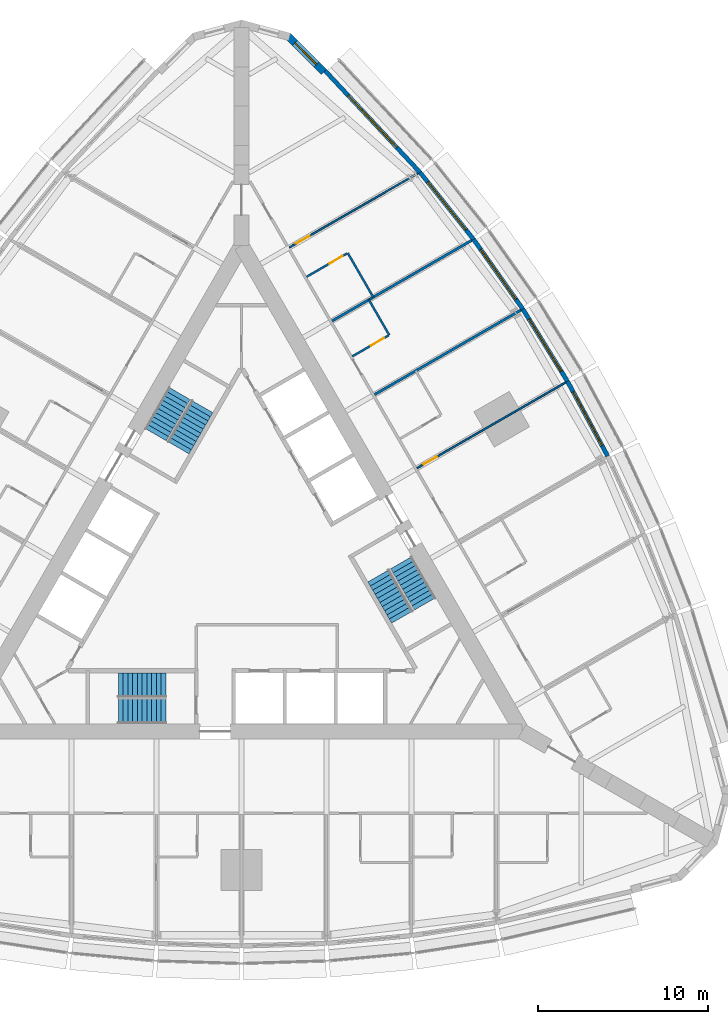
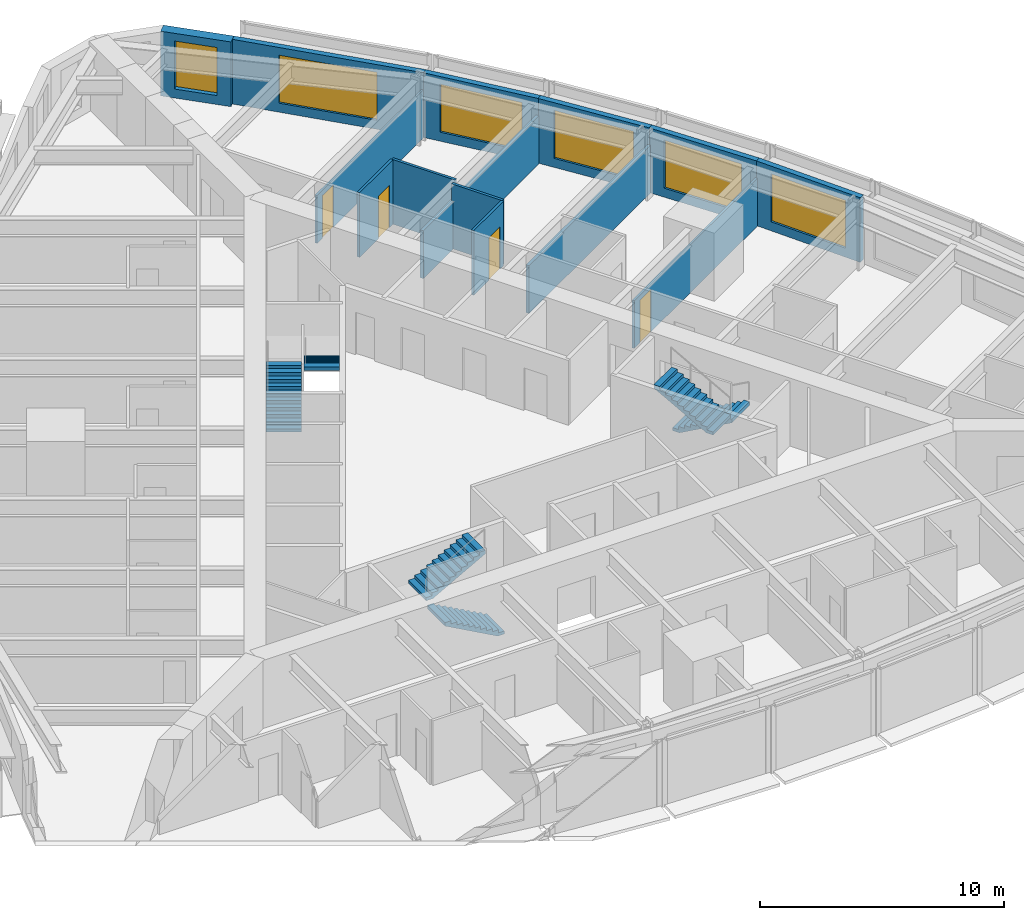
# One storey, part 13 of 14: 14 walls, 6 stair flights, 6 windows, 4 doors, 10 openings, 3 elements without a shape of their own.
"""IFC4 building model written with IfcOpenShell, lengths in metres."""

from ifc_helpers import new_model, si_unit, direction, frame, frame_2d, origin, place, context, subcontext, project, spatial, polyline, rectangle, outline, extrude, material, layer, layer_set, type_object, element, fill, aggregate, save


model = new_model("IFC4")

# Units and contexts
model_context = context("Model", 3, precision=1e-05, world=origin(), true_north=direction((0.0, 1.0)))
body_context = subcontext(model_context, "Body", "Model", "MODEL_VIEW")
ifc_project = project(units=[si_unit("LENGTHUNIT", "METRE"), si_unit("AREAUNIT", "SQUARE_METRE"), si_unit("VOLUMEUNIT", "CUBIC_METRE"), si_unit("PLANEANGLEUNIT", "RADIAN"), si_unit("MASSUNIT", "GRAM", prefix="KILO")], contexts=[model_context])

# Site, building, storey
site_placement = place(None, origin())
site = spatial("IfcSite", under=ifc_project, at=site_placement, CompositionType="ELEMENT")
building_placement = place(site_placement, origin())
building = spatial("IfcBuilding", under=site, at=building_placement, Name="Trikona Tower", CompositionType="ELEMENT")
storey_placement = place(building_placement, frame((0.0, 0.0, 72.699951171875)))
storey = spatial("IfcBuildingStorey", under=building, at=storey_placement, Name="L18", CompositionType="ELEMENT", Elevation=72.699951171875)

# Wall
ifc_material_1 = material(Name="Metal stud and cement board", Category="gypsum")
ifc_layer_1 = layer(ifc_material_1, 0.1201171875)
ifc_layer_set_1 = layer_set([ifc_layer_1], Name="Bathroom wall 120")
wall_type_1 = type_object("IfcWallType", Name="Bathroom wall 120", PredefinedType="PLUMBINGWALL", material=ifc_layer_set_1)
wall_1_placement = place(storey_placement, frame((8.693603515625, 13.794921875, 0.0), z_axis=(0.0, 0.0, 1.0), x_axis=(-0.500077600433, 0.865980596518, 0.0)))
element("IfcWall", 1, at=wall_1_placement, inside=storey, type_object=wall_type_1, Name="Bathroom wall 1810", PredefinedType="PLUMBINGWALL", context=body_context, shape_type="SweptSolid", body=[
    extrude(rectangle(XDim=2.39990234375, YDim=0.1201171875, at=frame_2d((1.199951171875, 0.0))), origin(), (0.0, 0.0, 1.0), 3.235107421875),
])

# Wall, opening, door
wall_2_placement = place(storey_placement, frame((6.528564453125, 12.544921875, 0.0), z_axis=(0.0, 0.0, 1.0), x_axis=(0.866023955769, 0.500002508028, 0.0)))
wall_2 = element("IfcWall", 2, at=wall_2_placement, inside=storey, type_object=wall_type_1, Name="Bathroom wall 1810", PredefinedType="PLUMBINGWALL", context=body_context, shape_type="SweptSolid", body=[
    extrude(rectangle(XDim=2.43994140625, YDim=0.1201171875, at=frame_2d((1.219970703125, 0.0))), origin(), (0.0, 0.0, 1.0), 3.235107421875),
])
opening_1_placement = place(wall_2_placement, frame((1.25, 0.0, 0.0)))
opening_1 = element("IfcOpeningElement", 3, at=opening_1_placement, cuts=wall_2, Name="Opening D2", PredefinedType="OPENING", context=body_context, shape_type="SweptSolid", body=[
    extrude(rectangle(XDim=0.89990234375, YDim=2.1298828125, at=frame_2d((0.449951171875, 1.06494140625))), frame((0.0, 0.070068359375, 0.0), z_axis=(0.0, -1.0, 0.0), x_axis=(1.0, 0.0, 0.0)), (0.0, 0.0, 1.0), 0.14013671875),
])
ifc_material_2 = material(Name="Steel door frame with solid-core timber leaf", Category="steel")
door_type_1 = type_object("IfcDoorType", Name="Bathroom door 900x2130", OperationType="SLIDING_TO_LEFT", PredefinedType="DOOR", material=ifc_material_2)
door_1_placement = place(opening_1_placement, origin())
door_1 = element("IfcDoor", 4, at=door_1_placement, inside=storey, type_object=door_type_1, Name="Bathroom door 1810", OperationType="SLIDING_TO_LEFT", OverallHeight=2.1298828125, OverallWidth=0.89990234375, PredefinedType="DOOR", context=body_context, shape_type="SweptSolid", body=[
    extrude(rectangle(XDim=0.89990234375, YDim=2.1298828125, at=frame_2d((0.449951171875, 1.06494140625))), frame((0.0, 0.02490234375, 0.0), z_axis=(0.0, -1.0, 0.0), x_axis=(1.0, 0.0, 0.0)), (0.0, 0.0, 1.0), 0.050048828125),
])
fill(opening_1, door_1)

# Wall
wall_3_placement = place(storey_placement, frame((7.75341796875, 16.0234375, 0.0), z_axis=(0.0, 0.0, 1.0), x_axis=(-0.499990139034, 0.866031096941, 0.0)))
element("IfcWall", 5, at=wall_3_placement, inside=storey, type_object=wall_type_1, Name="Bathroom wall 1811.1", PredefinedType="PLUMBINGWALL", context=body_context, shape_type="SweptSolid", body=[
    extrude(rectangle(XDim=3.0, YDim=0.1201171875, at=frame_2d((1.5, 0.0))), origin(), (0.0, 0.0, 1.0), 3.235107421875),
])

# Wall, opening, door
wall_4_placement = place(storey_placement, frame((3.82861328125, 17.221435546875, 0.0), z_axis=(0.0, 0.0, 1.0), x_axis=(0.865997131366, 0.500048966069, 0.0)))
wall_4 = element("IfcWall", 6, at=wall_4_placement, inside=storey, type_object=wall_type_1, Name="Bathroom wall 1811.1", PredefinedType="PLUMBINGWALL", context=body_context, shape_type="SweptSolid", body=[
    extrude(rectangle(XDim=2.739990234375, YDim=0.1201171875, at=frame_2d((1.3701171875, 0.0))), origin(), (0.0, 0.0, 1.0), 3.235107421875),
])
opening_2_placement = place(wall_4_placement, frame((1.550048828125, 0.0, 0.0)))
opening_2 = element("IfcOpeningElement", 7, at=opening_2_placement, cuts=wall_4, Name="Opening D2", PredefinedType="OPENING", context=body_context, shape_type="SweptSolid", body=[
    extrude(rectangle(XDim=0.89990234375, YDim=2.1298828125, at=frame_2d((0.449951171875, 1.06494140625))), frame((0.0, 0.070068359375, 0.0), z_axis=(0.0, -1.0, 0.0), x_axis=(1.0, 0.0, 0.0)), (0.0, 0.0, 1.0), 0.14013671875),
])
door_2_placement = place(opening_2_placement, origin())
door_2 = element("IfcDoor", 8, at=door_2_placement, inside=storey, type_object=door_type_1, Name="Bathroom door 1811.1", OperationType="SLIDING_TO_LEFT", OverallHeight=2.1298828125, OverallWidth=0.89990234375, PredefinedType="DOOR", context=body_context, shape_type="SweptSolid", body=[
    extrude(rectangle(XDim=0.89990234375, YDim=2.1298828125, at=frame_2d((0.449951171875, 1.06494140625))), frame((0.0, 0.02490234375, 0.0), z_axis=(0.0, -1.0, 0.0), x_axis=(1.0, 0.0, 0.0)), (0.0, 0.0, 1.0), 0.050048828125),
])
fill(opening_2, door_2)

# Wall, opening, window
ifc_material_3 = material(Name="Brick-faced precast concrete", Category="masonry")
ifc_layer_2 = layer(ifc_material_3, 0.449951171875)
ifc_layer_set_2 = layer_set([ifc_layer_2], Name="Brick-faced corner wall 450")
wall_type_2 = type_object("IfcWallType", Name="Brick-faced corner wall 450", PredefinedType="SOLIDWALL", material=ifc_layer_set_2)
wall_5_placement = place(storey_placement, frame((4.8408203125, 29.285888671875, 0.0), z_axis=(0.0, 0.0, 1.0), x_axis=(-0.707106781187, 0.707106781187, 0.0)))
wall_5 = element("IfcWall", 9, at=wall_5_placement, inside=storey, type_object=wall_type_2, Name="External wall L18-20", PredefinedType="SOLIDWALL", context=body_context, shape_type="SweptSolid", body=[
    extrude(rectangle(XDim=2.98828125, YDim=0.449951171875, at=frame_2d((1.494140625, 0.0))), origin(), (0.0, 0.0, 1.0), 3.235107421875),
])
opening_3_placement = place(wall_5_placement, frame((0.59423828125, 0.0, 0.449951171875)))
opening_3 = element("IfcOpeningElement", 10, at=opening_3_placement, cuts=wall_5, Name="Opening W1824", PredefinedType="OPENING", context=body_context, shape_type="SweptSolid", body=[
    extrude(rectangle(XDim=1.800048828125, YDim=2.39990234375, at=frame_2d((0.89990234375, 1.199951171875))), frame((0.0, 0.23486328125, 0.0), z_axis=(0.0, -1.0, 0.0), x_axis=(1.0, 0.0, 0.0)), (0.0, 0.0, 1.0), 0.469970703125),
])
ifc_material_4 = material(Name="Aluminium-framed double glazing", Category="aluminium")
window_type_1 = type_object("IfcWindowType", Name="Window 1800x2400", PartitioningType="SINGLE_PANEL", PredefinedType="WINDOW", material=ifc_material_4)
window_1_placement = place(opening_3_placement, origin())
window_1 = element("IfcWindow", 11, at=window_1_placement, inside=storey, type_object=window_type_1, Name="Window 1811", OverallHeight=2.39990234375, OverallWidth=1.800048828125, PartitioningType="SINGLE_PANEL", PredefinedType="WINDOW", context=body_context, shape_type="SweptSolid", body=[
    extrude(rectangle(XDim=1.800048828125, YDim=2.39990234375, at=frame_2d((0.89990234375, 1.199951171875))), frame((0.0, 0.030029296875, 0.0), z_axis=(0.0, -1.0, 0.0), x_axis=(1.0, 0.0, 0.0)), (0.0, 0.0, 1.0), 0.06005859375),
])
fill(opening_3, window_1)

ifc_material_5 = material(Name="Insulated precast concrete spandrel panel", Category="concrete")
ifc_layer_3 = layer(ifc_material_5, 0.25)
ifc_layer_set_3 = layer_set([ifc_layer_3], Name="Inner skin wall 250")
wall_type_3 = type_object("IfcWallType", Name="Inner skin wall 250", PredefinedType="STANDARD", material=ifc_layer_set_3)
wall_6_placement = place(storey_placement, frame((21.546630859375, 6.6708984375, 0.0), z_axis=(0.0, 0.0, 1.0), x_axis=(-0.473412820489, 0.880840678782, 0.0)))
wall_6 = element("IfcWall", 12, at=wall_6_placement, inside=storey, type_object=wall_type_3, Name="External wall L18-15", PredefinedType="STANDARD", context=body_context, shape_type="SweptSolid", body=[
    extrude(rectangle(XDim=5.00244140625, YDim=0.25, at=frame_2d((2.501220703125, 0.0))), origin(), (0.0, 0.0, 1.0), 3.235107421875),
])
opening_4_placement = place(wall_6_placement, frame((0.701171875, 0.0, 0.449951171875)))
opening_4 = element("IfcOpeningElement", 13, at=opening_4_placement, cuts=wall_6, Name="Opening W3624", PredefinedType="OPENING", context=body_context, shape_type="SweptSolid", body=[
    extrude(rectangle(XDim=3.60009765625, YDim=2.39990234375, at=frame_2d((1.800048828125, 1.199951171875))), frame((0.0, 0.135009765625, 0.0), z_axis=(0.0, -1.0, 0.0), x_axis=(1.0, 0.0, 0.0)), (0.0, 0.0, 1.0), 0.27001953125),
])
ifc_material_6 = material(Name="Aluminium-framed double glazing", Category="aluminium")
window_type_2 = type_object("IfcWindowType", Name="Window 3600x2400", PartitioningType="SINGLE_PANEL", PredefinedType="WINDOW", material=ifc_material_6)
window_2_placement = place(opening_4_placement, origin())
window_2 = element("IfcWindow", 14, at=window_2_placement, inside=storey, type_object=window_type_2, Name="Window 1809", OverallHeight=2.39990234375, OverallWidth=3.60009765625, PartitioningType="SINGLE_PANEL", PredefinedType="WINDOW", context=body_context, shape_type="SweptSolid", body=[
    extrude(rectangle(XDim=3.60009765625, YDim=2.39990234375, at=frame_2d((1.800048828125, 1.199951171875))), frame((0.0, 0.030029296875, 0.0), z_axis=(0.0, -1.0, 0.0), x_axis=(1.0, 0.0, 0.0)), (0.0, 0.0, 1.0), 0.06005859375),
])
fill(opening_4, window_2)

wall_7_placement = place(storey_placement, frame((19.182373046875, 11.070556640625, 0.0), z_axis=(0.0, 0.0, 1.0), x_axis=(-0.526132807704, 0.850402415717, 0.0)))
wall_7 = element("IfcWall", 15, at=wall_7_placement, inside=storey, type_object=wall_type_3, Name="External wall L18-16", PredefinedType="STANDARD", context=body_context, shape_type="SweptSolid", body=[
    extrude(rectangle(XDim=5.002197265625, YDim=0.25, at=frame_2d((2.5009765625, 0.0))), origin(), (0.0, 0.0, 1.0), 3.235107421875),
])
opening_5_placement = place(wall_7_placement, frame((0.701171875, 0.0, 0.449951171875)))
opening_5 = element("IfcOpeningElement", 16, at=opening_5_placement, cuts=wall_7, Name="Opening W3624", PredefinedType="OPENING", context=body_context, shape_type="SweptSolid", body=[
    extrude(rectangle(XDim=3.60009765625, YDim=2.39990234375, at=frame_2d((1.800048828125, 1.199951171875))), frame((0.0, 0.135009765625, 0.0), z_axis=(0.0, -1.0, 0.0), x_axis=(1.0, 0.0, 0.0)), (0.0, 0.0, 1.0), 0.27001953125),
])
window_3_placement = place(opening_5_placement, origin())
window_3 = element("IfcWindow", 17, at=window_3_placement, inside=storey, type_object=window_type_2, Name="Window 1809.1", OverallHeight=2.39990234375, OverallWidth=3.60009765625, PartitioningType="SINGLE_PANEL", PredefinedType="WINDOW", context=body_context, shape_type="SweptSolid", body=[
    extrude(rectangle(XDim=3.60009765625, YDim=2.39990234375, at=frame_2d((1.800048828125, 1.199951171875))), frame((0.0, 0.030029296875, 0.0), z_axis=(0.0, -1.0, 0.0), x_axis=(1.0, 0.0, 0.0)), (0.0, 0.0, 1.0), 0.06005859375),
])
fill(opening_5, window_3)

wall_8_placement = place(storey_placement, frame((16.5546875, 15.318115234375, 0.0), z_axis=(0.0, 0.0, 1.0), x_axis=(-0.5766431066, 0.81699616132, 0.0)))
wall_8 = element("IfcWall", 18, at=wall_8_placement, inside=storey, type_object=wall_type_3, Name="External wall L18-17", PredefinedType="STANDARD", context=body_context, shape_type="SweptSolid", body=[
    extrude(rectangle(XDim=5.02099609375, YDim=0.25, at=frame_2d((2.510498046875, 0.0))), origin(), (0.0, 0.0, 1.0), 3.235107421875),
])
opening_6_placement = place(wall_8_placement, frame((0.71044921875, 0.0, 0.449951171875)))
opening_6 = element("IfcOpeningElement", 19, at=opening_6_placement, cuts=wall_8, Name="Opening W3624", PredefinedType="OPENING", context=body_context, shape_type="SweptSolid", body=[
    extrude(rectangle(XDim=3.60009765625, YDim=2.39990234375, at=frame_2d((1.800048828125, 1.199951171875))), frame((0.0, 0.135009765625, 0.0), z_axis=(0.0, -1.0, 0.0), x_axis=(1.0, 0.0, 0.0)), (0.0, 0.0, 1.0), 0.27001953125),
])
window_4_placement = place(opening_6_placement, origin())
window_4 = element("IfcWindow", 20, at=window_4_placement, inside=storey, type_object=window_type_2, Name="Window 1810", OverallHeight=2.39990234375, OverallWidth=3.60009765625, PartitioningType="SINGLE_PANEL", PredefinedType="WINDOW", context=body_context, shape_type="SweptSolid", body=[
    extrude(rectangle(XDim=3.60009765625, YDim=2.39990234375, at=frame_2d((1.800048828125, 1.199951171875))), frame((0.0, 0.030029296875, 0.0), z_axis=(0.0, -1.0, 0.0), x_axis=(1.0, 0.0, 0.0)), (0.0, 0.0, 1.0), 0.06005859375),
])
fill(opening_6, window_4)

wall_9_placement = place(storey_placement, frame((13.663818359375, 19.4140625, 0.0), z_axis=(0.0, 0.0, 1.0), x_axis=(-0.624594965756, 0.780948864364, 0.0)))
wall_9 = element("IfcWall", 21, at=wall_9_placement, inside=storey, type_object=wall_type_3, Name="External wall L18-18", PredefinedType="STANDARD", context=body_context, shape_type="SweptSolid", body=[
    extrude(rectangle(XDim=5.0576171875, YDim=0.25, at=frame_2d((2.52880859375, 0.0))), origin(), (0.0, 0.0, 1.0), 3.235107421875),
])
opening_7_placement = place(wall_9_placement, frame((0.728759765625, 0.0, 0.449951171875)))
opening_7 = element("IfcOpeningElement", 22, at=opening_7_placement, cuts=wall_9, Name="Opening W3624", PredefinedType="OPENING", context=body_context, shape_type="SweptSolid", body=[
    extrude(rectangle(XDim=3.60009765625, YDim=2.39990234375, at=frame_2d((1.800048828125, 1.199951171875))), frame((0.0, 0.135009765625, 0.0), z_axis=(0.0, -1.0, 0.0), x_axis=(1.0, 0.0, 0.0)), (0.0, 0.0, 1.0), 0.27001953125),
])
window_5_placement = place(opening_7_placement, origin())
window_5 = element("IfcWindow", 23, at=window_5_placement, inside=storey, type_object=window_type_2, Name="Window 1811.1", OverallHeight=2.39990234375, OverallWidth=3.60009765625, PartitioningType="SINGLE_PANEL", PredefinedType="WINDOW", context=body_context, shape_type="SweptSolid", body=[
    extrude(rectangle(XDim=3.60009765625, YDim=2.39990234375, at=frame_2d((1.800048828125, 1.199951171875))), frame((0.0, 0.030029296875, 0.0), z_axis=(0.0, -1.0, 0.0), x_axis=(1.0, 0.0, 0.0)), (0.0, 0.0, 1.0), 0.06005859375),
])
fill(opening_7, window_5)

wall_10_placement = place(storey_placement, frame((10.510986328125, 23.356689453125, 0.0), z_axis=(0.0, 0.0, 1.0), x_axis=(-0.682289646561, 0.731081964075, 0.0)))
wall_10 = element("IfcWall", 24, at=wall_10_placement, inside=storey, type_object=wall_type_3, Name="External wall L18-19", PredefinedType="STANDARD", context=body_context, shape_type="SweptSolid", body=[
    extrude(rectangle(XDim=8.2109375, YDim=0.25, at=frame_2d((4.10546875, 0.0))), origin(), (0.0, 0.0, 1.0), 3.235107421875),
])
opening_8_placement = place(wall_10_placement, frame((2.005615234375, 0.0, 0.449951171875)))
opening_8 = element("IfcOpeningElement", 25, at=opening_8_placement, cuts=wall_10, Name="Opening W4224", PredefinedType="OPENING", context=body_context, shape_type="SweptSolid", body=[
    extrude(rectangle(XDim=4.199951171875, YDim=2.39990234375, at=frame_2d((2.10009765625, 1.199951171875))), frame((0.0, 0.135009765625, 0.0), z_axis=(0.0, -1.0, 0.0), x_axis=(1.0, 0.0, 0.0)), (0.0, 0.0, 1.0), 0.27001953125),
])
ifc_material_7 = material(Name="Aluminium-framed double glazing", Category="aluminium")
window_type_3 = type_object("IfcWindowType", Name="Window 4200x2400", PartitioningType="SINGLE_PANEL", PredefinedType="WINDOW", material=ifc_material_7)
window_6_placement = place(opening_8_placement, origin())
window_6 = element("IfcWindow", 26, at=window_6_placement, inside=storey, type_object=window_type_3, Name="Window 1811", OverallHeight=2.39990234375, OverallWidth=4.199951171875, PartitioningType="SINGLE_PANEL", PredefinedType="WINDOW", context=body_context, shape_type="SweptSolid", body=[
    extrude(rectangle(XDim=4.199951171875, YDim=2.39990234375, at=frame_2d((2.10009765625, 1.199951171875))), frame((0.0, 0.030029296875, 0.0), z_axis=(0.0, -1.0, 0.0), x_axis=(1.0, 0.0, 0.0)), (0.0, 0.0, 1.0), 0.06005859375),
])
fill(opening_8, window_6)

# Walls
ifc_material_8 = material(Name="Metal stud and gypsum board, 1-hour acoustic", Category="gypsum")
ifc_layer_4 = layer(ifc_material_8, 0.14990234375)
ifc_layer_set_4 = layer_set([ifc_layer_4], Name="Party wall 150")
wall_type_4 = type_object("IfcWallType", Name="Party wall 150", PredefinedType="PARTITIONING", material=ifc_layer_set_4)
wall_11_placement = place(storey_placement, frame((7.82861328125, 10.293212890625, 0.0), z_axis=(0.0, 0.0, 1.0), x_axis=(0.866016302457, 0.50001576363, 0.0)))
element("IfcWall", 27, at=wall_11_placement, inside=storey, type_object=wall_type_4, Name="Partition L18 F2 u5", PredefinedType="PARTITIONING", context=body_context, shape_type="SweptSolid", body=[
    extrude(rectangle(XDim=9.943115234375, YDim=0.14990234375, at=frame_2d((4.9716796875, 0.0))), origin(), (0.0, 0.0, 1.0), 2.38916015625),
])
wall_12_placement = place(storey_placement, frame((5.32861328125, 14.623291015625, 0.0), z_axis=(0.0, 0.0, 1.0), x_axis=(0.866018409083, 0.500012114982, 0.0)))
element("IfcWall", 28, at=wall_12_placement, inside=storey, type_object=wall_type_4, Name="Partition L18 F2 u10", PredefinedType="PARTITIONING", context=body_context, shape_type="SweptSolid", body=[
    extrude(rectangle(XDim=9.484619140625, YDim=0.14990234375, at=frame_2d((4.7421875, 0.0))), origin(), (0.0, 0.0, 1.0), 2.38916015625),
])

# Wall, opening, door
ifc_material_9 = material(Name="Metal stud and gypsum board, acoustic", Category="gypsum")
ifc_layer_5 = layer(ifc_material_9, 0.10009765625)
ifc_layer_set_5 = layer_set([ifc_layer_5], Name="Suite partition 100")
wall_type_5 = type_object("IfcWallType", Name="Suite partition 100", PredefinedType="PARTITIONING", material=ifc_layer_set_5)
wall_13_placement = place(storey_placement, frame((10.32861328125, 5.963134765625, 0.0), z_axis=(0.0, 0.0, 1.0), x_axis=(0.866021688545, 0.500006434927, 0.0)))
wall_13 = element("IfcWall", 29, at=wall_13_placement, inside=storey, type_object=wall_type_5, Name="Suite partition L18 F2 u0", PredefinedType="PARTITIONING", context=body_context, shape_type="SweptSolid", body=[
    extrude(rectangle(XDim=10.095947265625, YDim=0.10009765625, at=frame_2d((5.0478515625, 0.0))), origin(), (0.0, 0.0, 1.0), 2.38916015625),
])
opening_9_placement = place(wall_13_placement, frame((0.449951171875, 0.0, 0.0)))
opening_9 = element("IfcOpeningElement", 30, at=opening_9_placement, cuts=wall_13, Name="Opening D13", PredefinedType="OPENING", context=body_context, shape_type="SweptSolid", body=[
    extrude(rectangle(XDim=0.89990234375, YDim=2.1298828125, at=frame_2d((0.449951171875, 1.06494140625))), frame((0.0, 0.06005859375, 0.0), z_axis=(0.0, -1.0, 0.0), x_axis=(1.0, 0.0, 0.0)), (0.0, 0.0, 1.0), 0.1201171875),
])
ifc_material_10 = material(Name="Steel door frame with solid-core timber leaf", Category="steel")
door_type_2 = type_object("IfcDoorType", Name="Suite door 900x2130", OperationType="SINGLE_SWING_LEFT", PredefinedType="DOOR", material=ifc_material_10)
door_3_placement = place(opening_9_placement, origin())
door_3 = element("IfcDoor", 31, at=door_3_placement, inside=storey, type_object=door_type_2, Name="Suite door 1809", OperationType="SINGLE_SWING_LEFT", OverallHeight=2.1298828125, OverallWidth=0.89990234375, PredefinedType="DOOR", context=body_context, shape_type="SweptSolid", body=[
    extrude(rectangle(XDim=0.89990234375, YDim=2.1298828125, at=frame_2d((0.449951171875, 1.06494140625))), frame((0.0, 0.02490234375, 0.0), z_axis=(0.0, -1.0, 0.0), x_axis=(1.0, 0.0, 0.0)), (0.0, 0.0, 1.0), 0.050048828125),
])
fill(opening_9, door_3)

wall_14_placement = place(storey_placement, frame((2.82861328125, 18.95361328125, 0.0), z_axis=(0.0, 0.0, 1.0), x_axis=(0.866020536561, 0.500008430184, 0.0)))
wall_14 = element("IfcWall", 32, at=wall_14_placement, inside=storey, type_object=wall_type_5, Name="Suite partition L18 F2 u15", PredefinedType="PARTITIONING", context=body_context, shape_type="SweptSolid", body=[
    extrude(rectangle(XDim=8.719970703125, YDim=0.10009765625, at=frame_2d((4.35986328125, 0.0))), origin(), (0.0, 0.0, 1.0), 2.38916015625),
])
opening_10_placement = place(wall_14_placement, frame((0.449951171875, 0.0, 0.0)))
opening_10 = element("IfcOpeningElement", 33, at=opening_10_placement, cuts=wall_14, Name="Opening D13", PredefinedType="OPENING", context=body_context, shape_type="SweptSolid", body=[
    extrude(rectangle(XDim=0.89990234375, YDim=2.1298828125, at=frame_2d((0.449951171875, 1.06494140625))), frame((0.0, 0.06005859375, 0.0), z_axis=(0.0, -1.0, 0.0), x_axis=(1.0, 0.0, 0.0)), (0.0, 0.0, 1.0), 0.1201171875),
])
door_4_placement = place(opening_10_placement, origin())
door_4 = element("IfcDoor", 34, at=door_4_placement, inside=storey, type_object=door_type_2, Name="Suite door 1811", OperationType="SINGLE_SWING_LEFT", OverallHeight=2.1298828125, OverallWidth=0.89990234375, PredefinedType="DOOR", context=body_context, shape_type="SweptSolid", body=[
    extrude(rectangle(XDim=0.89990234375, YDim=2.1298828125, at=frame_2d((0.449951171875, 1.06494140625))), frame((0.0, 0.02490234375, 0.0), z_axis=(0.0, -1.0, 0.0), x_axis=(1.0, 0.0, 0.0)), (0.0, 0.0, 1.0), 0.050048828125),
])
fill(opening_10, door_4)

# Stair, stair flights
ifc_material_11 = material(Name="Concrete f'c 5000 psi", Category="concrete")
stair_type = type_object("IfcStairType", Name="Core stair", PredefinedType="HALF_TURN_STAIR", material=ifc_material_11)
stair_1_placement = place(storey_placement, origin())
stair_1 = element("IfcStair", 35, at=stair_1_placement, inside=storey, type_object=stair_type, Name="Stair A L18", PredefinedType="HALF_TURN_STAIR")
ifc_material_12 = material(Name="Concrete f'c 5000 psi", Category="concrete")
stair_flight_type = type_object("IfcStairFlightType", Name="Core stair flight 1450", PredefinedType="STRAIGHT", material=ifc_material_12)
stair_flight_1_placement = place(storey_placement, frame((-4.449951171875, -8.351318359375, 0.0), z_axis=(0.0, 0.0, 1.0), x_axis=(-1.0, 0.0, 0.0)))
stair_flight_1 = element("IfcStairFlight", 36, at=stair_flight_1_placement, type_object=stair_flight_type, Name="ST-A flight 1", NumberOfRisers=11, NumberOfTreads=10, PredefinedType="STRAIGHT", RiserHeight=0.154545, TreadLength=0.28, context=body_context, shape_type="SweptSolid", body=[
    extrude(outline(polyline([(0.0, 0.0), (0.0, 0.154541015625), (0.280029296875, 0.154541015625), (0.280029296875, 0.30908203125), (0.56005859375, 0.30908203125), (0.56005859375, 0.463623046875), (0.840087890625, 0.463623046875), (0.840087890625, 0.6181640625), (1.1201171875, 0.6181640625), (1.1201171875, 0.772705078125), (1.39990234375, 0.772705078125), (1.39990234375, 0.92724609375), (1.679931640625, 0.92724609375), (1.679931640625, 1.081787109375), (1.9599609375, 1.081787109375), (1.9599609375, 1.236328125), (2.239990234375, 1.236328125), (2.239990234375, 1.390869140625), (2.52001953125, 1.390869140625), (2.52001953125, 1.54541015625), (2.800048828125, 1.54541015625), (2.800048828125, 1.699951171875), (2.800048828125, 1.374267578125), (0.310302734375, 0.0), (0.0, 0.0)])), frame((0.0, 0.72509765625, 0.0), z_axis=(0.0, -1.0, 0.0), x_axis=(1.0, 0.0, 0.0)), (0.0, 0.0, 1.0), 1.449951171875),
])
stair_flight_2_placement = place(storey_placement, frame((-7.25, -6.80126953125, 1.699951171875), z_axis=(0.0, 0.0, 1.0), x_axis=(1.0, 0.0, 0.0)))
stair_flight_2 = element("IfcStairFlight", 37, at=stair_flight_2_placement, type_object=stair_flight_type, Name="ST-A flight 2", NumberOfRisers=11, NumberOfTreads=10, PredefinedType="STRAIGHT", RiserHeight=0.154545, TreadLength=0.28, context=body_context, shape_type="SweptSolid", body=[
    extrude(outline(polyline([(0.0, 0.0), (0.0, 0.154541015625), (0.280029296875, 0.154541015625), (0.280029296875, 0.30908203125), (0.56005859375, 0.30908203125), (0.56005859375, 0.463623046875), (0.840087890625, 0.463623046875), (0.840087890625, 0.6181640625), (1.1201171875, 0.6181640625), (1.1201171875, 0.772705078125), (1.39990234375, 0.772705078125), (1.39990234375, 0.92724609375), (1.679931640625, 0.92724609375), (1.679931640625, 1.081787109375), (1.9599609375, 1.081787109375), (1.9599609375, 1.236328125), (2.239990234375, 1.236328125), (2.239990234375, 1.390869140625), (2.52001953125, 1.390869140625), (2.52001953125, 1.54541015625), (2.800048828125, 1.54541015625), (2.800048828125, 1.699951171875), (2.800048828125, 1.374267578125), (0.310302734375, 0.0), (0.0, 0.0)])), frame((0.0, 0.72509765625, 0.0), z_axis=(0.0, -1.0, 0.0), x_axis=(1.0, 0.0, 0.0)), (0.0, 0.0, 1.0), 1.449951171875),
])
aggregate(stair_1, [stair_flight_1, stair_flight_2])

stair_2_placement = place(storey_placement, origin())
stair_2 = element("IfcStair", 38, at=stair_2_placement, inside=storey, type_object=stair_type, Name="Stair B L18", PredefinedType="HALF_TURN_STAIR")
stair_flight_3_placement = place(storey_placement, frame((9.407470703125, 0.408447265625, 0.0), z_axis=(0.0, 0.0, 1.0), x_axis=(0.5, -0.866025403784, 0.0)))
stair_flight_3 = element("IfcStairFlight", 39, at=stair_flight_3_placement, type_object=stair_flight_type, Name="ST-B flight 1", NumberOfRisers=11, NumberOfTreads=10, PredefinedType="STRAIGHT", RiserHeight=0.154545, TreadLength=0.28, context=body_context, shape_type="SweptSolid", body=[
    extrude(outline(polyline([(0.0, 0.0), (0.0, 0.154541015625), (0.280029296875, 0.154541015625), (0.280029296875, 0.30908203125), (0.56005859375, 0.30908203125), (0.56005859375, 0.463623046875), (0.840087890625, 0.463623046875), (0.840087890625, 0.6181640625), (1.1201171875, 0.6181640625), (1.1201171875, 0.772705078125), (1.39990234375, 0.772705078125), (1.39990234375, 0.92724609375), (1.679931640625, 0.92724609375), (1.679931640625, 1.081787109375), (1.9599609375, 1.081787109375), (1.9599609375, 1.236328125), (2.239990234375, 1.236328125), (2.239990234375, 1.390869140625), (2.52001953125, 1.390869140625), (2.52001953125, 1.54541015625), (2.800048828125, 1.54541015625), (2.800048828125, 1.699951171875), (2.800048828125, 1.374267578125), (0.310302734375, 0.0), (0.0, 0.0)])), frame((0.0, 0.72509765625, 0.0), z_axis=(0.0, -1.0, 0.0), x_axis=(1.0, 0.0, 0.0)), (0.0, 0.0, 1.0), 1.449951171875),
])
stair_flight_4_placement = place(storey_placement, frame((9.465087890625, -2.79150390625, 1.699951171875), z_axis=(0.0, 0.0, 1.0), x_axis=(-0.5, 0.866025403784, 0.0)))
stair_flight_4 = element("IfcStairFlight", 40, at=stair_flight_4_placement, type_object=stair_flight_type, Name="ST-B flight 2", NumberOfRisers=11, NumberOfTreads=10, PredefinedType="STRAIGHT", RiserHeight=0.154545, TreadLength=0.28, context=body_context, shape_type="SweptSolid", body=[
    extrude(outline(polyline([(0.0, 0.0), (0.0, 0.154541015625), (0.280029296875, 0.154541015625), (0.280029296875, 0.30908203125), (0.56005859375, 0.30908203125), (0.56005859375, 0.463623046875), (0.840087890625, 0.463623046875), (0.840087890625, 0.6181640625), (1.1201171875, 0.6181640625), (1.1201171875, 0.772705078125), (1.39990234375, 0.772705078125), (1.39990234375, 0.92724609375), (1.679931640625, 0.92724609375), (1.679931640625, 1.081787109375), (1.9599609375, 1.081787109375), (1.9599609375, 1.236328125), (2.239990234375, 1.236328125), (2.239990234375, 1.390869140625), (2.52001953125, 1.390869140625), (2.52001953125, 1.54541015625), (2.800048828125, 1.54541015625), (2.800048828125, 1.699951171875), (2.800048828125, 1.374267578125), (0.310302734375, 0.0), (0.0, 0.0)])), frame((0.0, 0.72509765625, 0.0), z_axis=(0.0, -1.0, 0.0), x_axis=(1.0, 0.0, 0.0)), (0.0, 0.0, 1.0), 1.449951171875),
])
aggregate(stair_2, [stair_flight_3, stair_flight_4])

stair_3_placement = place(storey_placement, origin())
stair_3 = element("IfcStair", 41, at=stair_3_placement, inside=storey, type_object=stair_type, Name="Stair C L18", PredefinedType="HALF_TURN_STAIR")
stair_flight_5_placement = place(storey_placement, frame((-5.057373046875, 7.94287109375, 0.0), z_axis=(0.0, 0.0, 1.0), x_axis=(0.5, 0.866025403784, 0.0)))
stair_flight_5 = element("IfcStairFlight", 42, at=stair_flight_5_placement, type_object=stair_flight_type, Name="ST-C flight 1", NumberOfRisers=11, NumberOfTreads=10, PredefinedType="STRAIGHT", RiserHeight=0.154545, TreadLength=0.28, context=body_context, shape_type="SweptSolid", body=[
    extrude(outline(polyline([(0.0, 0.0), (0.0, 0.154541015625), (0.280029296875, 0.154541015625), (0.280029296875, 0.30908203125), (0.56005859375, 0.30908203125), (0.56005859375, 0.463623046875), (0.840087890625, 0.463623046875), (0.840087890625, 0.6181640625), (1.1201171875, 0.6181640625), (1.1201171875, 0.772705078125), (1.39990234375, 0.772705078125), (1.39990234375, 0.92724609375), (1.679931640625, 0.92724609375), (1.679931640625, 1.081787109375), (1.9599609375, 1.081787109375), (1.9599609375, 1.236328125), (2.239990234375, 1.236328125), (2.239990234375, 1.390869140625), (2.52001953125, 1.390869140625), (2.52001953125, 1.54541015625), (2.800048828125, 1.54541015625), (2.800048828125, 1.699951171875), (2.800048828125, 1.374267578125), (0.310302734375, 0.0), (0.0, 0.0)])), frame((0.0, 0.72509765625, 0.0), z_axis=(0.0, -1.0, 0.0), x_axis=(1.0, 0.0, 0.0)), (0.0, 0.0, 1.0), 1.449951171875),
])
stair_flight_6_placement = place(storey_placement, frame((-2.315185546875, 9.5927734375, 1.699951171875), z_axis=(0.0, 0.0, 1.0), x_axis=(-0.5, -0.866025403784, 0.0)))
stair_flight_6 = element("IfcStairFlight", 43, at=stair_flight_6_placement, type_object=stair_flight_type, Name="ST-C flight 2", NumberOfRisers=11, NumberOfTreads=10, PredefinedType="STRAIGHT", RiserHeight=0.154545, TreadLength=0.28, context=body_context, shape_type="SweptSolid", body=[
    extrude(outline(polyline([(0.0, 0.0), (0.0, 0.154541015625), (0.280029296875, 0.154541015625), (0.280029296875, 0.30908203125), (0.56005859375, 0.30908203125), (0.56005859375, 0.463623046875), (0.840087890625, 0.463623046875), (0.840087890625, 0.6181640625), (1.1201171875, 0.6181640625), (1.1201171875, 0.772705078125), (1.39990234375, 0.772705078125), (1.39990234375, 0.92724609375), (1.679931640625, 0.92724609375), (1.679931640625, 1.081787109375), (1.9599609375, 1.081787109375), (1.9599609375, 1.236328125), (2.239990234375, 1.236328125), (2.239990234375, 1.390869140625), (2.52001953125, 1.390869140625), (2.52001953125, 1.54541015625), (2.800048828125, 1.54541015625), (2.800048828125, 1.699951171875), (2.800048828125, 1.374267578125), (0.310302734375, 0.0), (0.0, 0.0)])), frame((0.0, 0.72509765625, 0.0), z_axis=(0.0, -1.0, 0.0), x_axis=(1.0, 0.0, 0.0)), (0.0, 0.0, 1.0), 1.449951171875),
])
aggregate(stair_3, [stair_flight_5, stair_flight_6])

save(model, "model.ifc")
